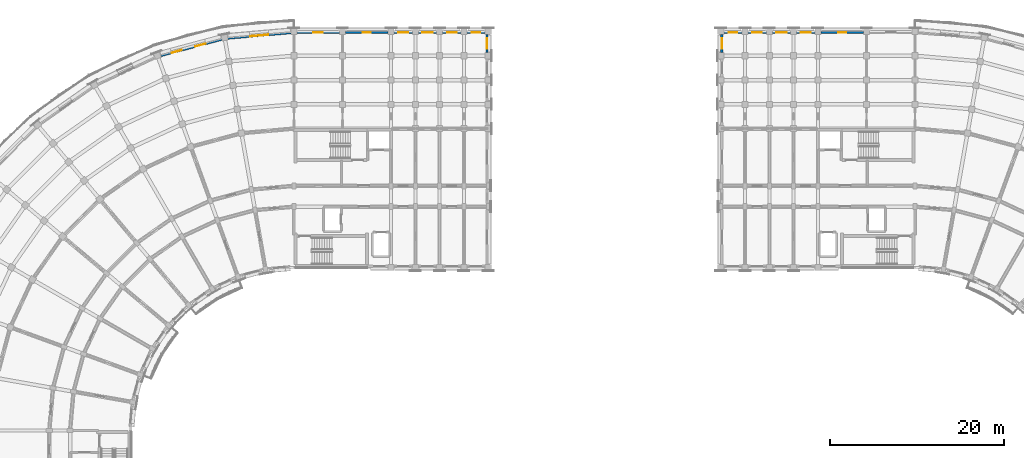
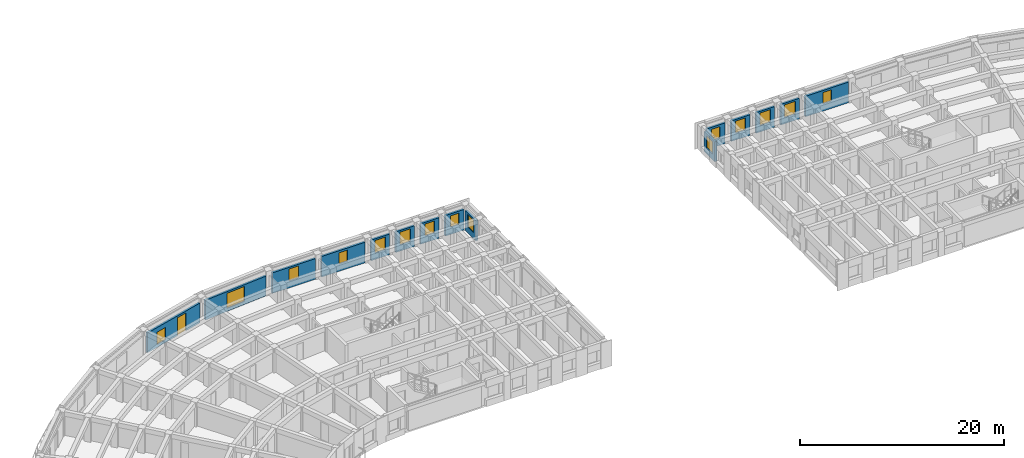
# One storey, part 37 of 57: 15 walls, 15 windows, 1 door, 16 openings.
"""IFC4 building model written with IfcOpenShell, lengths in metres."""

import ifcopenshell
import ifcopenshell.guid

model = None  # the IFC model being written
_history = None  # IfcOwnerHistory: only IFC2X3 demands one
_inside = {}  # id of a spatial element -> (the spatial element, [elements in it])
_under = {}  # id of a project, library or spatial element -> (it, [spatial elements below it])
_declared = {}  # id of a project -> (the project, [libraries it declares])
_typed = {}  # id of a type object -> (the type object, [elements of that type])
_made_of = {}  # id of a material, layer set ... -> (it, [elements and type objects made of it])


def new_model(schema):
    """Start an empty IFC model of exactly this schema.

    Asked for "IFC4X3", IfcOpenShell would pick the latest addendum, in which some entities
    have other attributes; the version numbers below select the first issue.
    IFC2X3 requires an IfcOwnerHistory on every rooted entity: one is made here for all.
    """
    global model, _history
    if schema == "IFC4X3":
        model = ifcopenshell.file(schema_version=(4, 3, 0, 0))
    else:
        model = ifcopenshell.file(schema=schema)
    _inside.clear()
    _under.clear()
    _declared.clear()
    _typed.clear()
    _made_of.clear()
    _history = None
    if model.schema == "IFC2X3":
        org = make("IfcOrganization", Name="unknown")
        user = make(
            "IfcPersonAndOrganization",
            ThePerson=make("IfcPerson", FamilyName="unknown"),
            TheOrganization=org,
        )
        app = make(
            "IfcApplication",
            ApplicationDeveloper=org,
            Version="unknown",
            ApplicationFullName="unknown",
            ApplicationIdentifier="unknown",
        )
        _history = make(
            "IfcOwnerHistory",
            OwningUser=user,
            OwningApplication=app,
            ChangeAction="ADDED",
            CreationDate=0,
        )
    return model


def make(cls, **values):
    """One entity of the class cls with the attributes given. An attribute that is None is left unset."""
    return model.create_entity(
        cls, **{name: value for name, value in values.items() if value is not None}
    )


def rooted(cls, **values):
    """An entity with a GlobalId (a new one), such as an element, a storey or a relation."""
    return make(cls, GlobalId=ifcopenshell.guid.new(), OwnerHistory=_history, **values)


def si_unit(unit_type, name, prefix=None):
    """IfcSIUnit, for example si_unit("LENGTHUNIT", "METRE", prefix="MILLI")."""
    return make("IfcSIUnit", UnitType=unit_type, Prefix=prefix, Name=name)


def assignment(units):
    """IfcUnitAssignment: the units of a project."""
    return None if units is None else make("IfcUnitAssignment", Units=units)


def point(xyz):
    """IfcCartesianPoint."""
    return None if xyz is None else make("IfcCartesianPoint", Coordinates=xyz)


def direction(xyz):
    """IfcDirection."""
    return None if xyz is None else make("IfcDirection", DirectionRatios=xyz)


def frame(location, z_axis=None, x_axis=None):
    """IfcAxis2Placement3D, a coordinate frame: its origin and axes. An axis left out is left unset."""
    return make(
        "IfcAxis2Placement3D",
        Location=point(location),
        Axis=direction(z_axis),
        RefDirection=direction(x_axis),
    )


def frame_2d(location, x_axis=None):
    """IfcAxis2Placement2D, a coordinate frame in the plane: its origin and x axis."""
    return make(
        "IfcAxis2Placement2D", Location=point(location), RefDirection=direction(x_axis)
    )


def origin():
    """The frame at (0, 0, 0) with its axes left unset."""
    return frame((0.0, 0.0, 0.0))


def place(relative_to, where):
    """IfcLocalPlacement: puts the frame where relative to a parent placement (None: the world)."""
    return make(
        "IfcLocalPlacement", PlacementRelTo=relative_to, RelativePlacement=where
    )


def context(
    kind, dimensions, precision=None, world=None, true_north=None, identifier=None
):
    """IfcGeometricRepresentationContext, for example the 3D "Model" context."""
    return make(
        "IfcGeometricRepresentationContext",
        ContextIdentifier=identifier,
        ContextType=kind,
        CoordinateSpaceDimension=dimensions,
        Precision=precision,
        WorldCoordinateSystem=world,
        TrueNorth=true_north,
    )


def subcontext(parent, identifier, kind, view, scale=None):
    """IfcGeometricRepresentationSubContext, for example "Body" below "Model"."""
    return make(
        "IfcGeometricRepresentationSubContext",
        ContextIdentifier=identifier,
        ContextType=kind,
        ParentContext=parent,
        TargetScale=scale,
        TargetView=view,
    )


def project(units=None, contexts=None):
    """IfcProject with its units and contexts."""
    return rooted(
        "IfcProject",
        Name="project",
        RepresentationContexts=contexts,
        UnitsInContext=assignment(units),
    )


def spatial(cls, under=None, at=None, **own):
    """A site, building, storey or space (cls), placed at a placement, below another one or the project."""
    s = rooted(cls, ObjectPlacement=at, **own)
    if under is not None:
        _under.setdefault(under.id(), (under, []))[1].append(s)
    return s


def profile(cls, at=None, kind="AREA", **sizes):
    """A parametric profile (cls). Its sizes go by their IFC names, for example OverallWidth=200.0."""
    return make(cls, ProfileType=kind, Position=at, **sizes)


def rectangle(**sizes):
    """IfcRectangleProfileDef."""
    return profile("IfcRectangleProfileDef", **sizes)


def extrude(swept, where, along, depth):
    """IfcExtrudedAreaSolid: the profile swept, set in the frame where, extruded along a direction by depth."""
    return make(
        "IfcExtrudedAreaSolid",
        SweptArea=swept,
        Position=where,
        ExtrudedDirection=direction(along),
        Depth=depth,
    )


def shape(context_of_items, identifier, shape_type, items):
    """IfcShapeRepresentation: the items that make up one representation, for example the "Body"."""
    return make(
        "IfcShapeRepresentation",
        ContextOfItems=context_of_items,
        RepresentationIdentifier=identifier,
        RepresentationType=shape_type,
        Items=items,
    )


def material(Name=None, Category=None):
    """IfcMaterial."""
    return make("IfcMaterial", Name=Name, Category=Category)


def layer(
    of_material, thickness, ventilated=None, Name=None, Category=None, Priority=None
):
    """IfcMaterialLayer: one layer of a wall or slab, of a material (None: an air gap)."""
    return make(
        "IfcMaterialLayer",
        Material=of_material,
        LayerThickness=thickness,
        IsVentilated=ventilated,
        Name=Name,
        Category=Category,
        Priority=Priority,
    )


def layer_set(layers, Name=None):
    """IfcMaterialLayerSet."""
    return make("IfcMaterialLayerSet", MaterialLayers=layers, LayerSetName=Name)


def made_of(thing, what):
    """Note that an element or type object is made of a material, layer set ...; save() writes the relation."""
    if what is not None:
        _made_of.setdefault(what.id(), (what, []))[1].append(thing)
    return thing


def type_object(cls, material=None, **own):
    """A type object (cls), such as IfcWallType, which elements share."""
    return made_of(rooted(cls, **own), material)


def element(
    cls,
    number,
    at=None,
    inside=None,
    cuts=None,
    type_object=None,
    material=None,
    context=None,
    identifier="Body",
    shape_type=None,
    held_by="IfcProductDefinitionShape",
    body=None,
    shapes=None,
    **own,
):
    """One element of the class cls, such as IfcWall. Its Tag is "e" and its number.

    at: its placement. inside: the storey or other place that contains it. cuts: it is an
    opening in that element (IfcRelVoidsElement). A single representation is given by context,
    identifier, shape_type and body (its items); several are given by shapes. held_by: the class
    of the entity that holds the representations. save() writes the other relations.
    """
    e = rooted(cls, Tag="e%d" % number, ObjectPlacement=at, **own)
    if body is not None:
        shapes = [shape(context, identifier, shape_type, body)]
    if shapes is not None:
        e.Representation = make(held_by, Representations=shapes)
    if inside is not None:
        _inside.setdefault(inside.id(), (inside, []))[1].append(e)
    if cuts is not None:
        rooted(
            "IfcRelVoidsElement", RelatingBuildingElement=cuts, RelatedOpeningElement=e
        )
    if type_object is not None:
        _typed.setdefault(type_object.id(), (type_object, []))[1].append(e)
    return made_of(e, material)


def fill(opening, filler):
    """IfcRelFillsElement: the door or window that sits in an opening."""
    return rooted(
        "IfcRelFillsElement",
        RelatingOpeningElement=opening,
        RelatedBuildingElement=filler,
    )


def aggregate(whole, parts):
    """IfcRelAggregates: a whole, such as a stair, and the parts it consists of."""
    return rooted("IfcRelAggregates", RelatingObject=whole, RelatedObjects=parts)


def save(model, path):
    """Write the relations noted so far, then the file.

    IfcRelAggregates (storeys below a building ...), IfcRelContainedInSpatialStructure (elements
    in a storey), IfcRelDefinesByType, IfcRelAssociatesMaterial and IfcRelDeclares: one each for
    every whole, place, type object, material and project.
    """
    for whole, parts in _under.values():
        aggregate(whole, parts)
    for where, things in _inside.values():
        rooted(
            "IfcRelContainedInSpatialStructure",
            RelatedElements=things,
            RelatingStructure=where,
        )
    for kind, things in _typed.values():
        rooted("IfcRelDefinesByType", RelatedObjects=things, RelatingType=kind)
    for what, things in _made_of.values():
        rooted("IfcRelAssociatesMaterial", RelatedObjects=things, RelatingMaterial=what)
    for by, libraries in _declared.values():
        rooted("IfcRelDeclares", RelatingContext=by, RelatedDefinitions=libraries)
    model.write(path)


model = new_model("IFC4")

# Units and contexts
model_context = context("Model", 3, precision=1e-05, world=origin(), true_north=direction((0.0, 1.0)))
body_context = subcontext(model_context, "Body", "Model", "MODEL_VIEW")
ifc_project = project(units=[si_unit("LENGTHUNIT", "METRE"), si_unit("AREAUNIT", "SQUARE_METRE"), si_unit("VOLUMEUNIT", "CUBIC_METRE"), si_unit("PLANEANGLEUNIT", "RADIAN"), si_unit("MASSUNIT", "GRAM", prefix="KILO")], contexts=[model_context])

# Site, building, storey
site_placement = place(None, origin())
site = spatial("IfcSite", under=ifc_project, at=site_placement, CompositionType="ELEMENT")
building_placement = place(site_placement, origin())
building = spatial("IfcBuilding", under=site, at=building_placement, Name="Kiranvali Square Residences", CompositionType="ELEMENT")
storey_placement = place(building_placement, frame((0.0, 0.0, 18.14990234375)))
storey = spatial("IfcBuildingStorey", under=building, at=storey_placement, Name="L05", CompositionType="ELEMENT", Elevation=18.14990234375)

# Wall, opening, window
ifc_material_1 = material(Name="Breathable lime-rendered clay brick masonry", Category="masonry")
ifc_layer = layer(ifc_material_1, 0.25)
ifc_layer_set = layer_set([ifc_layer], Name="Breathable lime-rendered clay brick masonry")
wall_type = type_object("IfcWallType", Name="WL-EXT-250", PredefinedType="STANDARD", material=ifc_layer_set)
wall_1_placement = place(storey_placement, frame((47.83642578125, 133.642822265625, 0.0), z_axis=(0.0, 0.0, 1.0), x_axis=(-0.99619214922, -0.08718487158, 0.0)))
wall_1 = element("IfcWall", 1, at=wall_1_placement, inside=storey, type_object=wall_type, Name="L05 exterior wall A-L05-CRV-00", PredefinedType="STANDARD", context=body_context, shape_type="SweptSolid", body=[
    extrude(rectangle(XDim=7.2666015625, YDim=0.25, at=frame_2d((3.63330078125, 0.0))), origin(), (0.0, 0.0, 1.0), 2.3720703125),
])
opening_1_placement = place(wall_1_placement, frame((2.583251953125, 0.0, 0.3720703125)))
opening_1 = element("IfcOpeningElement", 2, at=opening_1_placement, cuts=wall_1, Name="Opening W-03", PredefinedType="OPENING", context=body_context, shape_type="SweptSolid", body=[
    extrude(rectangle(XDim=2.10009765625, YDim=1.800048828125, at=frame_2d((1.050048828125, 0.89990234375))), frame((0.0, 0.135009765625, 0.0), z_axis=(0.0, -1.0, 0.0), x_axis=(1.0, 0.0, 0.0)), (0.0, 0.0, 1.0), 0.27001953125),
])
ifc_material_2 = material(Name="Solar-control low-e double glazing", Category="glass")
window_type_1 = type_object("IfcWindowType", Name="WIN-RES-2100x1800", PartitioningType="TRIPLE_PANEL_VERTICAL", PredefinedType="WINDOW", material=ifc_material_2)
window_1_placement = place(opening_1_placement, origin())
window_1 = element("IfcWindow", 3, at=window_1_placement, inside=storey, type_object=window_type_1, Name="L05 recessed window A-L05-CRV-00", OverallHeight=1.800048828125, OverallWidth=2.10009765625, PartitioningType="TRIPLE_PANEL_VERTICAL", PredefinedType="WINDOW", context=body_context, shape_type="SweptSolid", body=[
    extrude(rectangle(XDim=2.10009765625, YDim=1.800048828125, at=frame_2d((1.050048828125, 0.89990234375))), frame((0.0, 0.030029296875, 0.0), z_axis=(0.0, -1.0, 0.0), x_axis=(1.0, 0.0, 0.0)), (0.0, 0.0, 1.0), 0.06005859375),
])
fill(opening_1, window_1)

# Wall, openings, door, window
wall_2_placement = place(storey_placement, frame((39.881591796875, 132.883056640625, 0.0), z_axis=(0.0, 0.0, 1.0), x_axis=(-0.965930355787, -0.258802140196, 0.0)))
wall_2 = element("IfcWall", 4, at=wall_2_placement, inside=storey, type_object=wall_type, Name="L05 exterior wall A-L05-CRV-01", PredefinedType="STANDARD", context=body_context, shape_type="SweptSolid", body=[
    extrude(rectangle(XDim=7.2666015625, YDim=0.25, at=frame_2d((3.63330078125, 0.0))), origin(), (0.0, 0.0, 1.0), 2.3720703125),
])
opening_2_placement = place(wall_2_placement, frame((4.765625, 0.0, 0.322021484375)))
opening_2 = element("IfcOpeningElement", 5, at=opening_2_placement, cuts=wall_2, Name="Opening W-06", PredefinedType="OPENING", context=body_context, shape_type="SweptSolid", body=[
    extrude(rectangle(XDim=1.199951171875, YDim=1.5, at=frame_2d((0.60009765625, 0.75))), frame((0.0, 0.135009765625, 0.0), z_axis=(0.0, -1.0, 0.0), x_axis=(1.0, 0.0, 0.0)), (0.0, 0.0, 1.0), 0.27001953125),
])
opening_3_placement = place(wall_2_placement, frame((1.943359375, 0.0, 0.0)))
opening_3 = element("IfcOpeningElement", 6, at=opening_3_placement, cuts=wall_2, Name="Opening ED-BAL-1", PredefinedType="OPENING", context=body_context, shape_type="SweptSolid", body=[
    extrude(rectangle(XDim=1.199951171875, YDim=2.14990234375, at=frame_2d((0.60009765625, 1.074951171875))), frame((0.0, 0.135009765625, 0.0), z_axis=(0.0, -1.0, 0.0), x_axis=(1.0, 0.0, 0.0)), (0.0, 0.0, 1.0), 0.27001953125),
])
ifc_material_3 = material(Name="Anodised bronze aluminium framing", Category="aluminium")
door_type = type_object("IfcDoorType", Name="DR-BAL-1200", OperationType="NOTDEFINED", PredefinedType="DOOR", material=ifc_material_3)
door_placement = place(opening_3_placement, frame((1.199951171875, 0.0, 0.0), z_axis=(0.0, 0.0, 1.0), x_axis=(-1.0, 0.0, 0.0)))
door = element("IfcDoor", 7, at=door_placement, inside=storey, type_object=door_type, Name="L05 balcony terrace door", OperationType="SINGLE_SWING_RIGHT", OverallHeight=2.14990234375, OverallWidth=1.199951171875, PredefinedType="DOOR", context=body_context, shape_type="SweptSolid", body=[
    extrude(rectangle(XDim=1.199951171875, YDim=2.14990234375, at=frame_2d((0.60009765625, 1.074951171875))), frame((0.0, 0.02490234375, 0.0), z_axis=(0.0, -1.0, 0.0), x_axis=(1.0, 0.0, 0.0)), (0.0, 0.0, 1.0), 0.050048828125),
])
fill(opening_3, door)
window_type_2 = type_object("IfcWindowType", Name="WIN-RES-1200x1500", PartitioningType="SINGLE_PANEL", PredefinedType="WINDOW", material=ifc_material_2)
window_2_placement = place(opening_2_placement, origin())
window_2 = element("IfcWindow", 8, at=window_2_placement, inside=storey, type_object=window_type_2, Name="L05 recessed window A-L05-CRV-01", OverallHeight=1.5, OverallWidth=1.199951171875, PartitioningType="SINGLE_PANEL", PredefinedType="WINDOW", context=body_context, shape_type="SweptSolid", body=[
    extrude(rectangle(XDim=1.199951171875, YDim=1.5, at=frame_2d((0.60009765625, 0.75))), frame((0.0, 0.030029296875, 0.0), z_axis=(0.0, -1.0, 0.0), x_axis=(1.0, 0.0, 0.0)), (0.0, 0.0, 1.0), 0.06005859375),
])
fill(opening_2, window_2)

# Wall, opening, window
wall_3_placement = place(storey_placement, frame((48.553466796875, 133.675048828125, 0.0), z_axis=(0.0, 0.0, 1.0), x_axis=(1.0, 0.0, 0.0)))
wall_3 = element("IfcWall", 9, at=wall_3_placement, inside=storey, type_object=wall_type, Name="L05 exterior wall A-L05-A1O-0", PredefinedType="STANDARD", context=body_context, shape_type="SweptSolid", body=[
    extrude(rectangle(XDim=4.89306640625, YDim=0.25, at=frame_2d((2.446533203125, 0.0))), origin(), (0.0, 0.0, 1.0), 2.47216796875),
])
opening_4_placement = place(wall_3_placement, frame((1.896484375, 0.0, 0.822021484375)))
opening_4 = element("IfcOpeningElement", 10, at=opening_4_placement, cuts=wall_3, Name="Opening W-15", PredefinedType="OPENING", context=body_context, shape_type="SweptSolid", body=[
    extrude(rectangle(XDim=1.10009765625, YDim=1.449951171875, at=frame_2d((0.550048828125, 0.72509765625))), frame((0.0, 0.135009765625, 0.0), z_axis=(0.0, -1.0, 0.0), x_axis=(1.0, 0.0, 0.0)), (0.0, 0.0, 1.0), 0.27001953125),
])
window_type_3 = type_object("IfcWindowType", Name="WIN-RES-1100x1450", PartitioningType="SINGLE_PANEL", PredefinedType="WINDOW", material=ifc_material_2)
window_3_placement = place(opening_4_placement, origin())
window_3 = element("IfcWindow", 11, at=window_3_placement, inside=storey, type_object=window_type_3, Name="L05 recessed window A-L05-A1O-0", OverallHeight=1.449951171875, OverallWidth=1.10009765625, PartitioningType="SINGLE_PANEL", PredefinedType="WINDOW", context=body_context, shape_type="SweptSolid", body=[
    extrude(rectangle(XDim=1.10009765625, YDim=1.449951171875, at=frame_2d((0.550048828125, 0.72509765625))), frame((0.0, 0.030029296875, 0.0), z_axis=(0.0, -1.0, 0.0), x_axis=(1.0, 0.0, 0.0)), (0.0, 0.0, 1.0), 0.06005859375),
])
fill(opening_4, window_3)

wall_4_placement = place(storey_placement, frame((54.153564453125, 133.675048828125, 0.0), z_axis=(0.0, 0.0, 1.0), x_axis=(1.0, 0.0, 0.0)))
wall_4 = element("IfcWall", 12, at=wall_4_placement, inside=storey, type_object=wall_type, Name="L05 exterior wall A-L05-A1O-1", PredefinedType="STANDARD", context=body_context, shape_type="SweptSolid", body=[
    extrude(rectangle(XDim=4.892822265625, YDim=0.25, at=frame_2d((2.4462890625, 0.0))), origin(), (0.0, 0.0, 1.0), 2.47216796875),
])
opening_5_placement = place(wall_4_placement, frame((1.971435546875, 0.0, 0.8798828125)))
opening_5 = element("IfcOpeningElement", 13, at=opening_5_placement, cuts=wall_4, Name="Opening W-16", PredefinedType="OPENING", context=body_context, shape_type="SweptSolid", body=[
    extrude(rectangle(XDim=0.949951171875, YDim=1.35009765625, at=frame_2d((0.47509765625, 0.675048828125))), frame((0.0, 0.135009765625, 0.0), z_axis=(0.0, -1.0, 0.0), x_axis=(1.0, 0.0, 0.0)), (0.0, 0.0, 1.0), 0.27001953125),
])
window_type_4 = type_object("IfcWindowType", Name="WIN-RES-950x1350", PartitioningType="SINGLE_PANEL", PredefinedType="WINDOW", material=ifc_material_2)
window_4_placement = place(opening_5_placement, origin())
window_4 = element("IfcWindow", 14, at=window_4_placement, inside=storey, type_object=window_type_4, Name="L05 recessed window A-L05-A1O-1", OverallHeight=1.35009765625, OverallWidth=0.949951171875, PartitioningType="SINGLE_PANEL", PredefinedType="WINDOW", context=body_context, shape_type="SweptSolid", body=[
    extrude(rectangle(XDim=0.949951171875, YDim=1.35009765625, at=frame_2d((0.47509765625, 0.675048828125))), frame((0.0, 0.030029296875, 0.0), z_axis=(0.0, -1.0, 0.0), x_axis=(1.0, 0.0, 0.0)), (0.0, 0.0, 1.0), 0.06005859375),
])
fill(opening_5, window_4)

wall_5_placement = place(storey_placement, frame((59.75341796875, 133.675048828125, 0.0), z_axis=(0.0, 0.0, 1.0), x_axis=(1.0, 0.0, 0.0)))
wall_5 = element("IfcWall", 15, at=wall_5_placement, inside=storey, type_object=wall_type, Name="L05 exterior wall A-L05-A1O-2", PredefinedType="STANDARD", context=body_context, shape_type="SweptSolid", body=[
    extrude(rectangle(XDim=2.093017578125, YDim=0.25, at=frame_2d((1.04638671875, 0.0))), origin(), (0.0, 0.0, 1.0), 2.47216796875),
])
opening_6_placement = place(wall_5_placement, frame((0.446533203125, 0.0, 0.77197265625)))
opening_6 = element("IfcOpeningElement", 16, at=opening_6_placement, cuts=wall_5, Name="Opening W-06", PredefinedType="OPENING", context=body_context, shape_type="SweptSolid", body=[
    extrude(rectangle(XDim=1.199951171875, YDim=1.5, at=frame_2d((0.60009765625, 0.75))), frame((0.0, 0.135009765625, 0.0), z_axis=(0.0, -1.0, 0.0), x_axis=(1.0, 0.0, 0.0)), (0.0, 0.0, 1.0), 0.27001953125),
])
window_5_placement = place(opening_6_placement, origin())
window_5 = element("IfcWindow", 17, at=window_5_placement, inside=storey, type_object=window_type_2, Name="L05 recessed window A-L05-A1O-2", OverallHeight=1.5, OverallWidth=1.199951171875, PartitioningType="SINGLE_PANEL", PredefinedType="WINDOW", context=body_context, shape_type="SweptSolid", body=[
    extrude(rectangle(XDim=1.199951171875, YDim=1.5, at=frame_2d((0.60009765625, 0.75))), frame((0.0, 0.030029296875, 0.0), z_axis=(0.0, -1.0, 0.0), x_axis=(1.0, 0.0, 0.0)), (0.0, 0.0, 1.0), 0.06005859375),
])
fill(opening_6, window_5)

wall_6_placement = place(storey_placement, frame((62.553466796875, 133.675048828125, 0.0), z_axis=(0.0, 0.0, 1.0), x_axis=(1.0, 0.0, 0.0)))
wall_6 = element("IfcWall", 18, at=wall_6_placement, inside=storey, type_object=wall_type, Name="L05 exterior wall A-L05-A1O-3", PredefinedType="STANDARD", context=body_context, shape_type="SweptSolid", body=[
    extrude(rectangle(XDim=2.093017578125, YDim=0.25, at=frame_2d((1.04638671875, 0.0))), origin(), (0.0, 0.0, 1.0), 2.47216796875),
])
opening_7_placement = place(wall_6_placement, frame((0.446533203125, 0.0, 0.77197265625)))
opening_7 = element("IfcOpeningElement", 19, at=opening_7_placement, cuts=wall_6, Name="Opening W-06", PredefinedType="OPENING", context=body_context, shape_type="SweptSolid", body=[
    extrude(rectangle(XDim=1.199951171875, YDim=1.5, at=frame_2d((0.60009765625, 0.75))), frame((0.0, 0.135009765625, 0.0), z_axis=(0.0, -1.0, 0.0), x_axis=(1.0, 0.0, 0.0)), (0.0, 0.0, 1.0), 0.27001953125),
])
window_6_placement = place(opening_7_placement, origin())
window_6 = element("IfcWindow", 20, at=window_6_placement, inside=storey, type_object=window_type_2, Name="L05 recessed window A-L05-A1O-3", OverallHeight=1.5, OverallWidth=1.199951171875, PartitioningType="SINGLE_PANEL", PredefinedType="WINDOW", context=body_context, shape_type="SweptSolid", body=[
    extrude(rectangle(XDim=1.199951171875, YDim=1.5, at=frame_2d((0.60009765625, 0.75))), frame((0.0, 0.030029296875, 0.0), z_axis=(0.0, -1.0, 0.0), x_axis=(1.0, 0.0, 0.0)), (0.0, 0.0, 1.0), 0.06005859375),
])
fill(opening_7, window_6)

wall_7_placement = place(storey_placement, frame((65.353515625, 133.675048828125, 0.0), z_axis=(0.0, 0.0, 1.0), x_axis=(1.0, 0.0, 0.0)))
wall_7 = element("IfcWall", 21, at=wall_7_placement, inside=storey, type_object=wall_type, Name="L05 exterior wall A-L05-A1O-4", PredefinedType="STANDARD", context=body_context, shape_type="SweptSolid", body=[
    extrude(rectangle(XDim=2.093017578125, YDim=0.25, at=frame_2d((1.04638671875, 0.0))), origin(), (0.0, 0.0, 1.0), 2.47216796875),
])
opening_8_placement = place(wall_7_placement, frame((0.49658203125, 0.0, 0.822021484375)))
opening_8 = element("IfcOpeningElement", 22, at=opening_8_placement, cuts=wall_7, Name="Opening W-15", PredefinedType="OPENING", context=body_context, shape_type="SweptSolid", body=[
    extrude(rectangle(XDim=1.10009765625, YDim=1.449951171875, at=frame_2d((0.550048828125, 0.72509765625))), frame((0.0, 0.135009765625, 0.0), z_axis=(0.0, -1.0, 0.0), x_axis=(1.0, 0.0, 0.0)), (0.0, 0.0, 1.0), 0.27001953125),
])
window_7_placement = place(opening_8_placement, origin())
window_7 = element("IfcWindow", 23, at=window_7_placement, inside=storey, type_object=window_type_3, Name="L05 recessed window A-L05-A1O-4", OverallHeight=1.449951171875, OverallWidth=1.10009765625, PartitioningType="SINGLE_PANEL", PredefinedType="WINDOW", context=body_context, shape_type="SweptSolid", body=[
    extrude(rectangle(XDim=1.10009765625, YDim=1.449951171875, at=frame_2d((0.550048828125, 0.72509765625))), frame((0.0, 0.030029296875, 0.0), z_axis=(0.0, -1.0, 0.0), x_axis=(1.0, 0.0, 0.0)), (0.0, 0.0, 1.0), 0.06005859375),
])
fill(opening_8, window_7)

wall_8_placement = place(storey_placement, frame((68.153564453125, 133.675048828125, 0.0), z_axis=(0.0, 0.0, 1.0), x_axis=(1.0, 0.0, 0.0)))
wall_8 = element("IfcWall", 24, at=wall_8_placement, inside=storey, type_object=wall_type, Name="L05 exterior wall A-L05-A1O-5", PredefinedType="STANDARD", context=body_context, shape_type="SweptSolid", body=[
    extrude(rectangle(XDim=2.093017578125, YDim=0.25, at=frame_2d((1.04638671875, 0.0))), origin(), (0.0, 0.0, 1.0), 2.47216796875),
])
opening_9_placement = place(wall_8_placement, frame((0.571533203125, 0.0, 0.8798828125)))
opening_9 = element("IfcOpeningElement", 25, at=opening_9_placement, cuts=wall_8, Name="Opening W-16", PredefinedType="OPENING", context=body_context, shape_type="SweptSolid", body=[
    extrude(rectangle(XDim=0.949951171875, YDim=1.35009765625, at=frame_2d((0.47509765625, 0.675048828125))), frame((0.0, 0.135009765625, 0.0), z_axis=(0.0, -1.0, 0.0), x_axis=(1.0, 0.0, 0.0)), (0.0, 0.0, 1.0), 0.27001953125),
])
window_8_placement = place(opening_9_placement, origin())
window_8 = element("IfcWindow", 26, at=window_8_placement, inside=storey, type_object=window_type_4, Name="L05 recessed window A-L05-A1O-5", OverallHeight=1.35009765625, OverallWidth=0.949951171875, PartitioningType="SINGLE_PANEL", PredefinedType="WINDOW", context=body_context, shape_type="SweptSolid", body=[
    extrude(rectangle(XDim=0.949951171875, YDim=1.35009765625, at=frame_2d((0.47509765625, 0.675048828125))), frame((0.0, 0.030029296875, 0.0), z_axis=(0.0, -1.0, 0.0), x_axis=(1.0, 0.0, 0.0)), (0.0, 0.0, 1.0), 0.06005859375),
])
fill(opening_9, window_8)

wall_9_placement = place(storey_placement, frame((70.47509765625, 131.353515625, 0.0), z_axis=(0.0, 0.0, 1.0), x_axis=(0.0, 1.0, 0.0)))
wall_9 = element("IfcWall", 27, at=wall_9_placement, inside=storey, type_object=wall_type, Name="L05 exterior wall A-L05-A1END-6", PredefinedType="STANDARD", context=body_context, shape_type="SweptSolid", body=[
    extrude(rectangle(XDim=2.093017578125, YDim=0.25, at=frame_2d((1.04638671875, 0.0))), origin(), (0.0, 0.0, 1.0), 2.3720703125),
])
opening_10_placement = place(wall_9_placement, frame((0.446533203125, 0.0, 0.672119140625)))
opening_10 = element("IfcOpeningElement", 28, at=opening_10_placement, cuts=wall_9, Name="Opening W-06", PredefinedType="OPENING", context=body_context, shape_type="SweptSolid", body=[
    extrude(rectangle(XDim=1.199951171875, YDim=1.5, at=frame_2d((0.60009765625, 0.75))), frame((0.0, 0.135009765625, 0.0), z_axis=(0.0, -1.0, 0.0), x_axis=(1.0, 0.0, 0.0)), (0.0, 0.0, 1.0), 0.27001953125),
])
window_9_placement = place(opening_10_placement, origin())
window_9 = element("IfcWindow", 29, at=window_9_placement, inside=storey, type_object=window_type_2, Name="L05 recessed window A-L05-A1END-6", OverallHeight=1.5, OverallWidth=1.199951171875, PartitioningType="SINGLE_PANEL", PredefinedType="WINDOW", context=body_context, shape_type="SweptSolid", body=[
    extrude(rectangle(XDim=1.199951171875, YDim=1.5, at=frame_2d((0.60009765625, 0.75))), frame((0.0, 0.030029296875, 0.0), z_axis=(0.0, -1.0, 0.0), x_axis=(1.0, 0.0, 0.0)), (0.0, 0.0, 1.0), 0.06005859375),
])
fill(opening_10, window_9)

wall_10_placement = place(storey_placement, frame((113.846435546875, 133.675048828125, 0.0), z_axis=(0.0, 0.0, 1.0), x_axis=(-1.0, 0.0, 0.0)))
wall_10 = element("IfcWall", 30, at=wall_10_placement, inside=storey, type_object=wall_type, Name="L05 exterior wall B-L05-A1O-1", PredefinedType="STANDARD", context=body_context, shape_type="SweptSolid", body=[
    extrude(rectangle(XDim=4.892822265625, YDim=0.25, at=frame_2d((2.4462890625, 0.0))), origin(), (0.0, 0.0, 1.0), 2.47216796875),
])
opening_11_placement = place(wall_10_placement, frame((1.971435546875, 0.0, 0.8798828125)))
opening_11 = element("IfcOpeningElement", 31, at=opening_11_placement, cuts=wall_10, Name="Opening W-16", PredefinedType="OPENING", context=body_context, shape_type="SweptSolid", body=[
    extrude(rectangle(XDim=0.949951171875, YDim=1.35009765625, at=frame_2d((0.47509765625, 0.675048828125))), frame((0.0, 0.135009765625, 0.0), z_axis=(0.0, -1.0, 0.0), x_axis=(1.0, 0.0, 0.0)), (0.0, 0.0, 1.0), 0.27001953125),
])
window_10_placement = place(opening_11_placement, origin())
window_10 = element("IfcWindow", 32, at=window_10_placement, inside=storey, type_object=window_type_4, Name="L05 recessed window B-L05-A1O-1", OverallHeight=1.35009765625, OverallWidth=0.949951171875, PartitioningType="SINGLE_PANEL", PredefinedType="WINDOW", context=body_context, shape_type="SweptSolid", body=[
    extrude(rectangle(XDim=0.949951171875, YDim=1.35009765625, at=frame_2d((0.47509765625, 0.675048828125))), frame((0.0, 0.030029296875, 0.0), z_axis=(0.0, -1.0, 0.0), x_axis=(1.0, 0.0, 0.0)), (0.0, 0.0, 1.0), 0.06005859375),
])
fill(opening_11, window_10)

wall_11_placement = place(storey_placement, frame((108.24658203125, 133.675048828125, 0.0), z_axis=(0.0, 0.0, 1.0), x_axis=(-1.0, 0.0, 0.0)))
wall_11 = element("IfcWall", 33, at=wall_11_placement, inside=storey, type_object=wall_type, Name="L05 exterior wall B-L05-A1O-2", PredefinedType="STANDARD", context=body_context, shape_type="SweptSolid", body=[
    extrude(rectangle(XDim=2.093017578125, YDim=0.25, at=frame_2d((1.04638671875, 0.0))), origin(), (0.0, 0.0, 1.0), 2.47216796875),
])
opening_12_placement = place(wall_11_placement, frame((0.446533203125, 0.0, 0.77197265625)))
opening_12 = element("IfcOpeningElement", 34, at=opening_12_placement, cuts=wall_11, Name="Opening W-06", PredefinedType="OPENING", context=body_context, shape_type="SweptSolid", body=[
    extrude(rectangle(XDim=1.199951171875, YDim=1.5, at=frame_2d((0.60009765625, 0.75))), frame((0.0, 0.135009765625, 0.0), z_axis=(0.0, -1.0, 0.0), x_axis=(1.0, 0.0, 0.0)), (0.0, 0.0, 1.0), 0.27001953125),
])
window_11_placement = place(opening_12_placement, origin())
window_11 = element("IfcWindow", 35, at=window_11_placement, inside=storey, type_object=window_type_2, Name="L05 recessed window B-L05-A1O-2", OverallHeight=1.5, OverallWidth=1.199951171875, PartitioningType="SINGLE_PANEL", PredefinedType="WINDOW", context=body_context, shape_type="SweptSolid", body=[
    extrude(rectangle(XDim=1.199951171875, YDim=1.5, at=frame_2d((0.60009765625, 0.75))), frame((0.0, 0.030029296875, 0.0), z_axis=(0.0, -1.0, 0.0), x_axis=(1.0, 0.0, 0.0)), (0.0, 0.0, 1.0), 0.06005859375),
])
fill(opening_12, window_11)

wall_12_placement = place(storey_placement, frame((105.446533203125, 133.675048828125, 0.0), z_axis=(0.0, 0.0, 1.0), x_axis=(-1.0, 0.0, 0.0)))
wall_12 = element("IfcWall", 36, at=wall_12_placement, inside=storey, type_object=wall_type, Name="L05 exterior wall B-L05-A1O-3", PredefinedType="STANDARD", context=body_context, shape_type="SweptSolid", body=[
    extrude(rectangle(XDim=2.093017578125, YDim=0.25, at=frame_2d((1.04638671875, 0.0))), origin(), (0.0, 0.0, 1.0), 2.47216796875),
])
opening_13_placement = place(wall_12_placement, frame((0.446533203125, 0.0, 0.77197265625)))
opening_13 = element("IfcOpeningElement", 37, at=opening_13_placement, cuts=wall_12, Name="Opening W-06", PredefinedType="OPENING", context=body_context, shape_type="SweptSolid", body=[
    extrude(rectangle(XDim=1.199951171875, YDim=1.5, at=frame_2d((0.60009765625, 0.75))), frame((0.0, 0.135009765625, 0.0), z_axis=(0.0, -1.0, 0.0), x_axis=(1.0, 0.0, 0.0)), (0.0, 0.0, 1.0), 0.27001953125),
])
window_12_placement = place(opening_13_placement, origin())
window_12 = element("IfcWindow", 38, at=window_12_placement, inside=storey, type_object=window_type_2, Name="L05 recessed window B-L05-A1O-3", OverallHeight=1.5, OverallWidth=1.199951171875, PartitioningType="SINGLE_PANEL", PredefinedType="WINDOW", context=body_context, shape_type="SweptSolid", body=[
    extrude(rectangle(XDim=1.199951171875, YDim=1.5, at=frame_2d((0.60009765625, 0.75))), frame((0.0, 0.030029296875, 0.0), z_axis=(0.0, -1.0, 0.0), x_axis=(1.0, 0.0, 0.0)), (0.0, 0.0, 1.0), 0.06005859375),
])
fill(opening_13, window_12)

wall_13_placement = place(storey_placement, frame((102.646484375, 133.675048828125, 0.0), z_axis=(0.0, 0.0, 1.0), x_axis=(-1.0, 0.0, 0.0)))
wall_13 = element("IfcWall", 39, at=wall_13_placement, inside=storey, type_object=wall_type, Name="L05 exterior wall B-L05-A1O-4", PredefinedType="STANDARD", context=body_context, shape_type="SweptSolid", body=[
    extrude(rectangle(XDim=2.093017578125, YDim=0.25, at=frame_2d((1.04638671875, 0.0))), origin(), (0.0, 0.0, 1.0), 2.47216796875),
])
opening_14_placement = place(wall_13_placement, frame((0.49658203125, 0.0, 0.822021484375)))
opening_14 = element("IfcOpeningElement", 40, at=opening_14_placement, cuts=wall_13, Name="Opening W-15", PredefinedType="OPENING", context=body_context, shape_type="SweptSolid", body=[
    extrude(rectangle(XDim=1.10009765625, YDim=1.449951171875, at=frame_2d((0.550048828125, 0.72509765625))), frame((0.0, 0.135009765625, 0.0), z_axis=(0.0, -1.0, 0.0), x_axis=(1.0, 0.0, 0.0)), (0.0, 0.0, 1.0), 0.27001953125),
])
window_13_placement = place(opening_14_placement, origin())
window_13 = element("IfcWindow", 41, at=window_13_placement, inside=storey, type_object=window_type_3, Name="L05 recessed window B-L05-A1O-4", OverallHeight=1.449951171875, OverallWidth=1.10009765625, PartitioningType="SINGLE_PANEL", PredefinedType="WINDOW", context=body_context, shape_type="SweptSolid", body=[
    extrude(rectangle(XDim=1.10009765625, YDim=1.449951171875, at=frame_2d((0.550048828125, 0.72509765625))), frame((0.0, 0.030029296875, 0.0), z_axis=(0.0, -1.0, 0.0), x_axis=(1.0, 0.0, 0.0)), (0.0, 0.0, 1.0), 0.06005859375),
])
fill(opening_14, window_13)

wall_14_placement = place(storey_placement, frame((99.846435546875, 133.675048828125, 0.0), z_axis=(0.0, 0.0, 1.0), x_axis=(-1.0, 0.0, 0.0)))
wall_14 = element("IfcWall", 42, at=wall_14_placement, inside=storey, type_object=wall_type, Name="L05 exterior wall B-L05-A1O-5", PredefinedType="STANDARD", context=body_context, shape_type="SweptSolid", body=[
    extrude(rectangle(XDim=2.093017578125, YDim=0.25, at=frame_2d((1.04638671875, 0.0))), origin(), (0.0, 0.0, 1.0), 2.47216796875),
])
opening_15_placement = place(wall_14_placement, frame((0.571533203125, 0.0, 0.8798828125)))
opening_15 = element("IfcOpeningElement", 43, at=opening_15_placement, cuts=wall_14, Name="Opening W-16", PredefinedType="OPENING", context=body_context, shape_type="SweptSolid", body=[
    extrude(rectangle(XDim=0.949951171875, YDim=1.35009765625, at=frame_2d((0.47509765625, 0.675048828125))), frame((0.0, 0.135009765625, 0.0), z_axis=(0.0, -1.0, 0.0), x_axis=(1.0, 0.0, 0.0)), (0.0, 0.0, 1.0), 0.27001953125),
])
window_14_placement = place(opening_15_placement, origin())
window_14 = element("IfcWindow", 44, at=window_14_placement, inside=storey, type_object=window_type_4, Name="L05 recessed window B-L05-A1O-5", OverallHeight=1.35009765625, OverallWidth=0.949951171875, PartitioningType="SINGLE_PANEL", PredefinedType="WINDOW", context=body_context, shape_type="SweptSolid", body=[
    extrude(rectangle(XDim=0.949951171875, YDim=1.35009765625, at=frame_2d((0.47509765625, 0.675048828125))), frame((0.0, 0.030029296875, 0.0), z_axis=(0.0, -1.0, 0.0), x_axis=(1.0, 0.0, 0.0)), (0.0, 0.0, 1.0), 0.06005859375),
])
fill(opening_15, window_14)

wall_15_placement = place(storey_placement, frame((97.52490234375, 131.353515625, 0.0), z_axis=(0.0, 0.0, 1.0), x_axis=(0.0, 1.0, 0.0)))
wall_15 = element("IfcWall", 45, at=wall_15_placement, inside=storey, type_object=wall_type, Name="L05 exterior wall B-L05-A1END-6", PredefinedType="STANDARD", context=body_context, shape_type="SweptSolid", body=[
    extrude(rectangle(XDim=2.093017578125, YDim=0.25, at=frame_2d((1.04638671875, 0.0))), origin(), (0.0, 0.0, 1.0), 2.3720703125),
])
opening_16_placement = place(wall_15_placement, frame((0.446533203125, 0.0, 0.672119140625)))
opening_16 = element("IfcOpeningElement", 46, at=opening_16_placement, cuts=wall_15, Name="Opening W-06", PredefinedType="OPENING", context=body_context, shape_type="SweptSolid", body=[
    extrude(rectangle(XDim=1.199951171875, YDim=1.5, at=frame_2d((0.60009765625, 0.75))), frame((0.0, 0.135009765625, 0.0), z_axis=(0.0, -1.0, 0.0), x_axis=(1.0, 0.0, 0.0)), (0.0, 0.0, 1.0), 0.27001953125),
])
window_15_placement = place(opening_16_placement, origin())
window_15 = element("IfcWindow", 47, at=window_15_placement, inside=storey, type_object=window_type_2, Name="L05 recessed window B-L05-A1END-6", OverallHeight=1.5, OverallWidth=1.199951171875, PartitioningType="SINGLE_PANEL", PredefinedType="WINDOW", context=body_context, shape_type="SweptSolid", body=[
    extrude(rectangle(XDim=1.199951171875, YDim=1.5, at=frame_2d((0.60009765625, 0.75))), frame((0.0, 0.030029296875, 0.0), z_axis=(0.0, -1.0, 0.0), x_axis=(1.0, 0.0, 0.0)), (0.0, 0.0, 1.0), 0.06005859375),
])
fill(opening_16, window_15)

save(model, "model.ifc")
